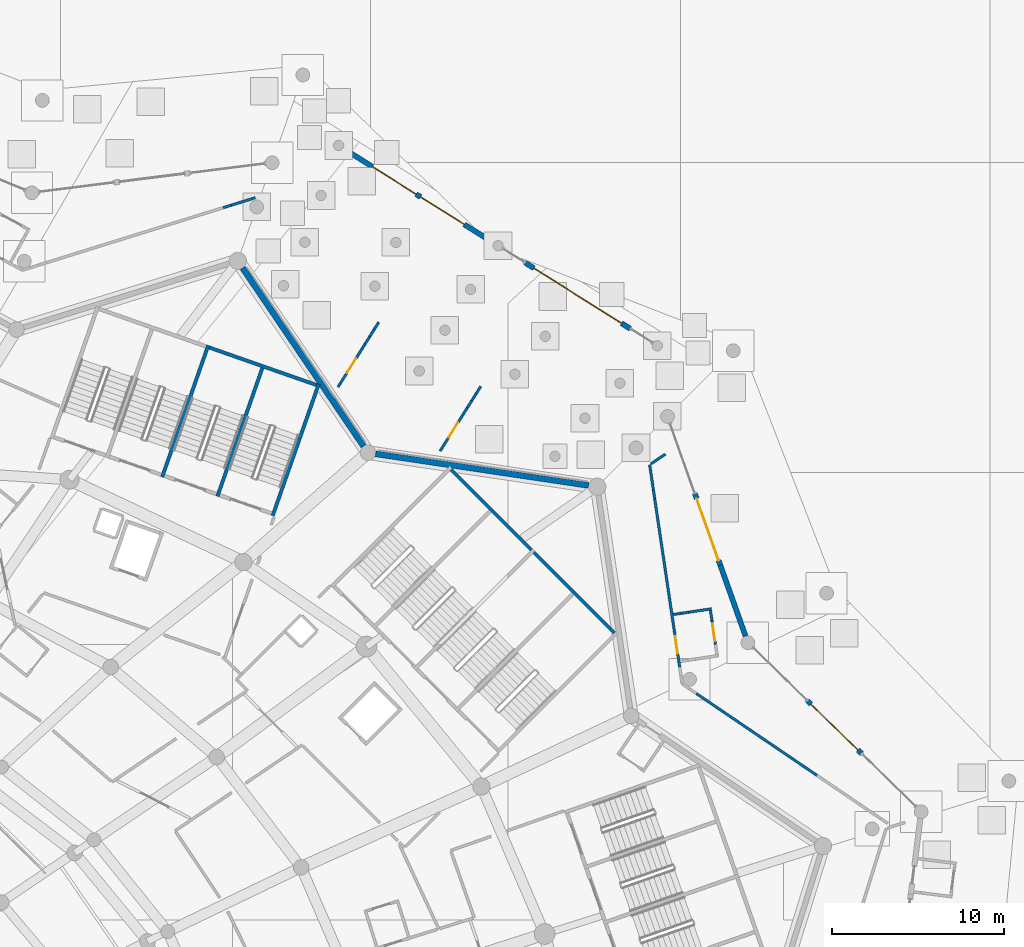
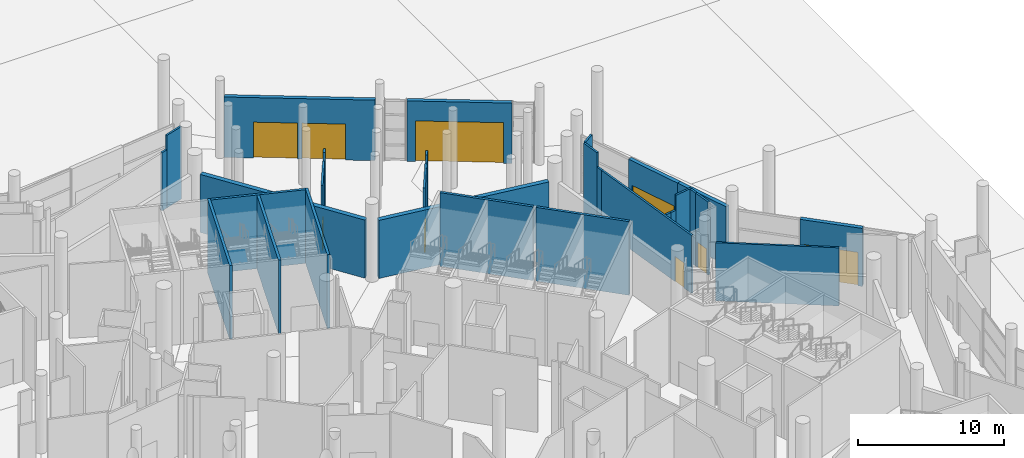
# One storey, part 156 of 255: 33 walls, 9 doors, 9 openings.
"""IFC4 building model written with IfcOpenShell, lengths in metres."""

from ifc_helpers import new_model, si_unit, direction, frame, frame_2d, origin, place, context, subcontext, project, spatial, rectangle, extrude, material, layer, layer_set, type_object, element, fill, save


model = new_model("IFC4")

# Units and contexts
model_context = context("Model", 3, precision=1e-05, world=origin(), true_north=direction((0.0, 1.0)))
body_context = subcontext(model_context, "Body", "Model", "MODEL_VIEW")
ifc_project = project(units=[si_unit("LENGTHUNIT", "METRE"), si_unit("AREAUNIT", "SQUARE_METRE"), si_unit("VOLUMEUNIT", "CUBIC_METRE"), si_unit("PLANEANGLEUNIT", "RADIAN"), si_unit("MASSUNIT", "GRAM", prefix="KILO")], contexts=[model_context])

# Site, building, storey
site_placement = place(None, origin())
site = spatial("IfcSite", under=ifc_project, at=site_placement, CompositionType="ELEMENT")
building_placement = place(site_placement, origin())
building = spatial("IfcBuilding", under=site, at=building_placement, Name="Meseta Stadium", CompositionType="ELEMENT")
storey_placement = place(building_placement, origin())
storey = spatial("IfcBuildingStorey", under=building, at=storey_placement, Name="L00", CompositionType="ELEMENT", Elevation=0.0)

# Walls
ifc_material_1 = material(Name="Concrete C40/50", Category="concrete")
ifc_layer_1 = layer(ifc_material_1, 0.199951171875)
ifc_layer_set_1 = layer_set([ifc_layer_1], Name="Core divider wall 200")
wall_type_1 = type_object("IfcWallType", Name="Core divider wall 200", PredefinedType="SHEAR", material=ifc_layer_set_1)
wall_1_placement = place(storey_placement, frame((65.789306640625, 96.260009765625, 0.0), z_axis=(0.0, 0.0, 1.0), x_axis=(-0.330280610426, -0.943882788474, 0.0)))
element("IfcWall", 1, at=wall_1_placement, inside=storey, type_object=wall_type_1, Name="Core 08 L00 stair A divider wall", PredefinedType="SHEAR", context=body_context, shape_type="SweptSolid", body=[
    extrude(rectangle(XDim=8.10009765625, YDim=0.199951171875, at=frame_2d((4.050048828125, 0.0))), origin(), (0.0, 0.0, 1.0), 6.14990234375),
])
ifc_material_2 = material(Name="Concrete C40/50", Category="concrete")
ifc_layer_2 = layer(ifc_material_2, 0.199951171875)
ifc_layer_set_2 = layer_set([ifc_layer_2], Name="Core shaft wall 200")
wall_type_2 = type_object("IfcWallType", Name="Core shaft wall 200", PredefinedType="SHEAR", material=ifc_layer_set_2)
for number, where, z_axis, x_axis, name in (
    (2, (86.163818359375, 80.6884765625, 0.0), (0.0, 0.0, 1.0), (-0.707125276584, 0.707088285305, 0.0), "Core 07 L00 stair A outer end wall"),
    (3, (81.355224609375, 85.496826171875, 0.0), (0.0, 0.0, 1.0), (-0.707088285305, 0.707125276584, 0.0), "Core 07 L00 stair B outer end wall"),
):
    element("IfcWall", number, at=place(storey_placement, frame(where, z_axis=z_axis, x_axis=x_axis)), inside=storey, type_object=wall_type_2, Name=name, PredefinedType="SHEAR", context=body_context, shape_type="SweptSolid", body=[
        extrude(rectangle(XDim=6.599853515625, YDim=0.199951171875, at=frame_2d((3.2998046875, 0.0))), origin(), (0.0, 0.0, 1.0), 6.14990234375),
    ])
for number, where, z_axis, x_axis, name in (
    (4, (68.998291015625, 95.136962890625, 0.0), (0.0, 0.0, 1.0), (-0.330263153216, -0.943888896866, 0.0), "Core 08 L00 stair wall A-side"),
    (5, (62.580078125, 97.3828125, 0.0), (0.0, 0.0, 1.0), (-0.330290006891, -0.943879500438, 0.0), "Core 08 L00 stair wall shared"),
):
    element("IfcWall", number, at=place(storey_placement, frame(where, z_axis=z_axis, x_axis=x_axis)), inside=storey, type_object=wall_type_2, Name=name, PredefinedType="SHEAR", context=body_context, shape_type="SweptSolid", body=[
        extrude(rectangle(XDim=8.099853515625, YDim=0.199951171875, at=frame_2d((4.0498046875, 0.0))), origin(), (0.0, 0.0, 1.0), 6.14990234375),
    ])
wall_2_placement = place(storey_placement, frame((68.87109375, 95.07568359375, 0.0), z_axis=(0.0, 0.0, 1.0), x_axis=(-0.943880844925, 0.330286164688, 0.0)))
element("IfcWall", 6, at=wall_2_placement, inside=storey, type_object=wall_type_2, Name="Core 08 L00 stair A outer end wall", PredefinedType="SHEAR", context=body_context, shape_type="SweptSolid", body=[
    extrude(rectangle(XDim=6.60009765625, YDim=0.199951171875, at=frame_2d((3.300048828125, 0.0))), origin(), (0.0, 0.0, 1.0), 6.14990234375),
])

# Wall, opening, door
ifc_material_3 = material(Name="Precast concrete C40/50", Category="concrete")
ifc_layer_3 = layer(ifc_material_3, 0.300048828125)
ifc_layer_set_3 = layer_set([ifc_layer_3], Name="Gate facade panel wall 300")
wall_type_3 = type_object("IfcWallType", Name="Gate facade panel wall 300", PredefinedType="SOLIDWALL", material=ifc_layer_set_3)
wall_3_placement = place(storey_placement, frame((80.9921875, 102.18115234375, 0.0), z_axis=(0.0, 0.0, 1.0), x_axis=(0.846713800268, -0.532048626006, 0.0)))
wall_3 = element("IfcWall", 7, at=wall_3_placement, inside=storey, type_object=wall_type_3, Name="Gate 2 entrance wall", PredefinedType="SOLIDWALL", context=body_context, shape_type="SweptSolid", body=[
    extrude(rectangle(XDim=7.2001953125, YDim=0.300048828125, at=frame_2d((3.60009765625, 0.0))), origin(), (0.0, 0.0, 1.0), 5.050048828125),
])
opening_1_placement = place(wall_3_placement, frame((0.60009765625, 0.0, 0.0)))
opening_1 = element("IfcOpeningElement", 8, at=opening_1_placement, cuts=wall_3, Name="Opening D007", PredefinedType="OPENING", context=body_context, shape_type="SweptSolid", body=[
    extrude(rectangle(XDim=6.0, YDim=3.39990234375, at=frame_2d((3.0, 1.699951171875))), frame((0.0, 0.159912109375, 0.0), z_axis=(0.0, -1.0, 0.0), x_axis=(1.0, 0.0, 0.0)), (0.0, 0.0, 1.0), 0.320068359375),
])
ifc_material_4 = material(Name="Steel", Category="steel")
door_type_1 = type_object("IfcDoorType", Name="Main entrance door 6000x3400", OperationType="DOUBLE_DOOR_SINGLE_SWING", PredefinedType="DOOR", material=ifc_material_4)
door_1_placement = place(opening_1_placement, origin())
door_1 = element("IfcDoor", 9, at=door_1_placement, inside=storey, type_object=door_type_1, Name="Main entrance E2", OperationType="DOUBLE_DOOR_SINGLE_SWING", OverallHeight=3.39990234375, OverallWidth=6.0, PredefinedType="DOOR", context=body_context, shape_type="SweptSolid", body=[
    extrude(rectangle(XDim=6.0, YDim=3.39990234375, at=frame_2d((3.0, 1.699951171875))), frame((0.0, 0.02490234375, 0.0), z_axis=(0.0, -1.0, 0.0), x_axis=(1.0, 0.0, 0.0)), (0.0, 0.0, 1.0), 0.050048828125),
])
fill(opening_1, door_1)

# Wall, openings, doors
wall_4_placement = place(storey_placement, frame((70.40771484375, 108.831787109375, 0.0), z_axis=(0.0, 0.0, 1.0), x_axis=(0.846732336333, -0.532019126168, 0.0)))
wall_4 = element("IfcWall", 10, at=wall_4_placement, inside=storey, type_object=wall_type_3, Name="Gate 2 entrance wall", PredefinedType="SOLIDWALL", context=body_context, shape_type="SweptSolid", body=[
    extrude(rectangle(XDim=10.333740234375, YDim=0.300048828125, at=frame_2d((5.1669921875, 0.0))), origin(), (0.0, 0.0, 1.0), 5.050048828125),
])
opening_2_placement = place(wall_4_placement, frame((5.31689453125, 0.0, 0.0)))
opening_2 = element("IfcOpeningElement", 11, at=opening_2_placement, cuts=wall_4, Name="Opening D008", PredefinedType="OPENING", context=body_context, shape_type="SweptSolid", body=[
    extrude(rectangle(XDim=3.0, YDim=3.0, at=frame_2d((1.5, 1.5))), frame((0.0, 0.159912109375, 0.0), z_axis=(0.0, -1.0, 0.0), x_axis=(1.0, 0.0, 0.0)), (0.0, 0.0, 1.0), 0.320068359375),
])
opening_3_placement = place(wall_4_placement, frame((2.016845703125, 0.0, 0.0)))
opening_3 = element("IfcOpeningElement", 12, at=opening_3_placement, cuts=wall_4, Name="Opening D009", PredefinedType="OPENING", context=body_context, shape_type="SweptSolid", body=[
    extrude(rectangle(XDim=3.0, YDim=3.0, at=frame_2d((1.5, 1.5))), frame((0.0, 0.159912109375, 0.0), z_axis=(0.0, -1.0, 0.0), x_axis=(1.0, 0.0, 0.0)), (0.0, 0.0, 1.0), 0.320068359375),
])
ifc_material_5 = material(Name="Steel", Category="steel")
door_type_2 = type_object("IfcDoorType", Name="Pedestrian exit door 3000x3000", OperationType="DOUBLE_DOOR_SINGLE_SWING", PredefinedType="DOOR", material=ifc_material_5)
door_2_placement = place(opening_2_placement, origin())
door_2 = element("IfcDoor", 13, at=door_2_placement, inside=storey, type_object=door_type_2, Name="Pedestrian exit gate G2", OperationType="DOUBLE_DOOR_SINGLE_SWING", OverallHeight=3.0, OverallWidth=3.0, PredefinedType="DOOR", context=body_context, shape_type="SweptSolid", body=[
    extrude(rectangle(XDim=3.0, YDim=3.0, at=frame_2d((1.5, 1.5))), frame((0.0, 0.02490234375, 0.0), z_axis=(0.0, -1.0, 0.0), x_axis=(1.0, 0.0, 0.0)), (0.0, 0.0, 1.0), 0.050048828125),
])
fill(opening_2, door_2)
door_3_placement = place(opening_3_placement, origin())
door_3 = element("IfcDoor", 14, at=door_3_placement, inside=storey, type_object=door_type_2, Name="Pedestrian exit gate G2", OperationType="DOUBLE_DOOR_SINGLE_SWING", OverallHeight=3.0, OverallWidth=3.0, PredefinedType="DOOR", context=body_context, shape_type="SweptSolid", body=[
    extrude(rectangle(XDim=3.0, YDim=3.0, at=frame_2d((1.5, 1.5))), frame((0.0, 0.02490234375, 0.0), z_axis=(0.0, -1.0, 0.0), x_axis=(1.0, 0.0, 0.0)), (0.0, 0.0, 1.0), 0.050048828125),
])
fill(opening_3, door_3)

# Wall, opening, door
ifc_material_6 = material(Name="Masonry blockwork", Category="masonry")
ifc_layer_4 = layer(ifc_material_6, 0.14990234375)
ifc_layer_set_4 = layer_set([ifc_layer_4], Name="Partition 150")
wall_type_4 = type_object("IfcWallType", Name="Partition 150", PredefinedType="PARTITIONING", material=ifc_layer_set_4)
wall_5_placement = place(storey_placement, frame((76.0458984375, 91.239013671875, 0.0), z_axis=(0.0, 0.0, 1.0), x_axis=(0.531974180768, 0.846760574776, 0.0)))
wall_5 = element("IfcWall", 15, at=wall_5_placement, inside=storey, type_object=wall_type_4, Name="Partition L00 G2-L00-0-SecurityScreening-0", PredefinedType="PARTITIONING", context=body_context, shape_type="SweptSolid", body=[
    extrude(rectangle(XDim=2.96435546875, YDim=0.14990234375, at=frame_2d((1.482177734375, 0.0))), origin(), (0.0, 0.0, 1.0), 6.050048828125),
])
opening_4_placement = place(wall_5_placement, frame((0.949951171875, 0.0, 0.0)))
opening_4 = element("IfcOpeningElement", 16, at=opening_4_placement, cuts=wall_5, Name="Opening D516", PredefinedType="OPENING", context=body_context, shape_type="SweptSolid", body=[
    extrude(rectangle(XDim=1.0, YDim=2.10009765625, at=frame_2d((0.5, 1.050048828125))), frame((0.0, 0.0849609375, 0.0), z_axis=(0.0, -1.0, 0.0), x_axis=(1.0, 0.0, 0.0)), (0.0, 0.0, 1.0), 0.169921875),
])
ifc_material_7 = material(Name="Steel", Category="steel")
door_type_3 = type_object("IfcDoorType", Name="Fire door 1000x2100 EI2 60", OperationType="NOTDEFINED", PredefinedType="DOOR", material=ifc_material_7)
door_4_placement = place(opening_4_placement, origin())
door_4 = element("IfcDoor", 17, at=door_4_placement, inside=storey, type_object=door_type_3, Name="Door D516", OperationType="SINGLE_SWING_RIGHT", OverallHeight=2.10009765625, OverallWidth=1.0, PredefinedType="DOOR", context=body_context, shape_type="SweptSolid", body=[
    extrude(rectangle(XDim=1.0, YDim=2.10009765625, at=frame_2d((0.5, 1.050048828125))), frame((0.0, 0.02490234375, 0.0), z_axis=(0.0, -1.0, 0.0), x_axis=(1.0, 0.0, 0.0)), (0.0, 0.0, 1.0), 0.050048828125),
])
fill(opening_4, door_4)

# Walls
wall_6_placement = place(storey_placement, frame((77.622802734375, 93.7490234375, 0.0), z_axis=(0.0, 0.0, 1.0), x_axis=(0.532040016941, 0.846719209876, 0.0)))
element("IfcWall", 18, at=wall_6_placement, inside=storey, type_object=wall_type_4, Name="Partition L00 G2-L00-0-SecurityScreening-0", PredefinedType="PARTITIONING", context=body_context, shape_type="SweptSolid", body=[
    extrude(rectangle(XDim=0.494140625, YDim=0.14990234375, at=frame_2d((0.2470703125, 0.0))), origin(), (0.0, 0.0, 1.0), 5.25),
])
wall_7_placement = place(storey_placement, frame((77.8857421875, 94.16748046875, 0.0), z_axis=(0.0, 0.0, 1.0), x_axis=(0.53226263383, 0.846579286676, 0.0)))
element("IfcWall", 19, at=wall_7_placement, inside=storey, type_object=wall_type_4, Name="Partition L00 G2-L00-0-SecurityScreening-0", PredefinedType="PARTITIONING", context=body_context, shape_type="SweptSolid", body=[
    extrude(rectangle(XDim=0.493896484375, YDim=0.14990234375, at=frame_2d((0.2470703125, 0.0))), origin(), (0.0, 0.0, 1.0), 5.25),
])
wall_8_placement = place(storey_placement, frame((78.148681640625, 94.585693359375, 0.0), z_axis=(0.0, 0.0, 1.0), x_axis=(0.532040016941, 0.846719209876, 0.0)))
element("IfcWall", 20, at=wall_8_placement, inside=storey, type_object=wall_type_4, Name="Partition L00 G2-L00-0-SecurityScreening-0", PredefinedType="PARTITIONING", context=body_context, shape_type="SweptSolid", body=[
    extrude(rectangle(XDim=0.494140625, YDim=0.14990234375, at=frame_2d((0.2470703125, 0.0))), origin(), (0.0, 0.0, 1.0), 6.050048828125),
])

# Wall, opening, door
wall_9_placement = place(storey_placement, frame((71.69580078125, 97.473388671875, 0.0), z_axis=(0.0, 0.0, 1.0), x_axis=(-0.5319961315, -0.846746783914, 0.0)))
wall_9 = element("IfcWall", 21, at=wall_9_placement, inside=storey, type_object=wall_type_4, Name="Partition L00 G2-L00-1-TicketHall-0", PredefinedType="PARTITIONING", context=body_context, shape_type="SweptSolid", body=[
    extrude(rectangle(XDim=2.964599609375, YDim=0.14990234375, at=frame_2d((1.482421875, 0.0))), origin(), (0.0, 0.0, 1.0), 6.050048828125),
])
opening_5_placement = place(wall_9_placement, frame((1.014404296875, 0.0, 0.0)))
opening_5 = element("IfcOpeningElement", 22, at=opening_5_placement, cuts=wall_9, Name="Opening D517", PredefinedType="OPENING", context=body_context, shape_type="SweptSolid", body=[
    extrude(rectangle(XDim=1.0, YDim=2.10009765625, at=frame_2d((0.5, 1.050048828125))), frame((0.0, 0.0849609375, 0.0), z_axis=(0.0, -1.0, 0.0), x_axis=(1.0, 0.0, 0.0)), (0.0, 0.0, 1.0), 0.169921875),
])
door_5_placement = place(opening_5_placement, origin())
door_5 = element("IfcDoor", 23, at=door_5_placement, inside=storey, type_object=door_type_3, Name="Door D517", OperationType="SINGLE_SWING_RIGHT", OverallHeight=2.10009765625, OverallWidth=1.0, PredefinedType="DOOR", context=body_context, shape_type="SweptSolid", body=[
    extrude(rectangle(XDim=1.0, YDim=2.10009765625, at=frame_2d((0.5, 1.050048828125))), frame((0.0, 0.02490234375, 0.0), z_axis=(0.0, -1.0, 0.0), x_axis=(1.0, 0.0, 0.0)), (0.0, 0.0, 1.0), 0.050048828125),
])
fill(opening_5, door_5)

# Walls
wall_10_placement = place(storey_placement, frame((71.69580078125, 97.473388671875, 0.0), z_axis=(0.0, 0.0, 1.0), x_axis=(0.53226263383, 0.846579286676, 0.0)))
element("IfcWall", 24, at=wall_10_placement, inside=storey, type_object=wall_type_4, Name="Partition L00 G2-L00-1-TicketHall-0", PredefinedType="PARTITIONING", context=body_context, shape_type="SweptSolid", body=[
    extrude(rectangle(XDim=0.493896484375, YDim=0.14990234375, at=frame_2d((0.2470703125, 0.0))), origin(), (0.0, 0.0, 1.0), 5.25),
])
wall_11_placement = place(storey_placement, frame((71.958740234375, 97.8916015625, 0.0), z_axis=(0.0, 0.0, 1.0), x_axis=(0.532040016941, 0.846719209876, 0.0)))
element("IfcWall", 25, at=wall_11_placement, inside=storey, type_object=wall_type_4, Name="Partition L00 G2-L00-1-TicketHall-0", PredefinedType="PARTITIONING", context=body_context, shape_type="SweptSolid", body=[
    extrude(rectangle(XDim=0.494140625, YDim=0.14990234375, at=frame_2d((0.2470703125, 0.0))), origin(), (0.0, 0.0, 1.0), 5.25),
])
wall_12_placement = place(storey_placement, frame((72.2216796875, 98.31005859375, 0.0), z_axis=(0.0, 0.0, 1.0), x_axis=(0.531908296505, 0.846801962745, 0.0)))
element("IfcWall", 26, at=wall_12_placement, inside=storey, type_object=wall_type_4, Name="Partition L00 G2-L00-1-TicketHall-0", PredefinedType="PARTITIONING", context=body_context, shape_type="SweptSolid", body=[
    extrude(rectangle(XDim=0.493896484375, YDim=0.14990234375, at=frame_2d((0.2470703125, 0.0))), origin(), (0.0, 0.0, 1.0), 6.050048828125),
])
wall_13_placement = place(storey_placement, frame((97.93359375, 72.4072265625, 0.0), z_axis=(0.0, 0.0, 1.0), x_axis=(-0.827484873178, 0.561488009366, 0.0)))
element("IfcWall", 27, at=wall_13_placement, inside=storey, type_object=wall_type_4, Name="Partition L00 L00-ring05-0", PredefinedType="PARTITIONING", context=body_context, shape_type="SweptSolid", body=[
    extrude(rectangle(XDim=8.459716796875, YDim=0.14990234375, at=frame_2d((4.22998046875, 0.0))), origin(), (0.0, 0.0, 1.0), 4.85009765625),
])

# Wall, opening, door
wall_14_placement = place(storey_placement, frame((89.96435546875, 78.695556640625, 0.0), z_axis=(0.0, 0.0, 1.0), x_axis=(-0.146856053472, 0.98915787393, 0.0)))
wall_14 = element("IfcWall", 28, at=wall_14_placement, inside=storey, type_object=wall_type_4, Name="Partition L00 L00-ring05-0", PredefinedType="PARTITIONING", context=body_context, shape_type="SweptSolid", body=[
    extrude(rectangle(XDim=9.901611328125, YDim=0.14990234375, at=frame_2d((4.95068359375, 0.0))), origin(), (0.0, 0.0, 1.0), 4.85009765625),
])
opening_6_placement = place(wall_14_placement, frame((0.800048828125, 0.0, 0.0)))
opening_6 = element("IfcOpeningElement", 29, at=opening_6_placement, cuts=wall_14, Name="Opening D622", PredefinedType="OPENING", context=body_context, shape_type="SweptSolid", body=[
    extrude(rectangle(XDim=1.0, YDim=2.10009765625, at=frame_2d((0.5, 1.050048828125))), frame((0.0, 0.0849609375, 0.0), z_axis=(0.0, -1.0, 0.0), x_axis=(1.0, 0.0, 0.0)), (0.0, 0.0, 1.0), 0.169921875),
])
door_6_placement = place(opening_6_placement, origin())
door_6 = element("IfcDoor", 30, at=door_6_placement, inside=storey, type_object=door_type_3, Name="Door D622", OperationType="SINGLE_SWING_LEFT", OverallHeight=2.10009765625, OverallWidth=1.0, PredefinedType="DOOR", context=body_context, shape_type="SweptSolid", body=[
    extrude(rectangle(XDim=1.0, YDim=2.10009765625, at=frame_2d((0.5, 1.050048828125))), frame((0.0, 0.02490234375, 0.0), z_axis=(0.0, -1.0, 0.0), x_axis=(1.0, 0.0, 0.0)), (0.0, 0.0, 1.0), 0.050048828125),
])
fill(opening_6, door_6)

# Walls
wall_15_placement = place(storey_placement, frame((88.51025390625, 88.48974609375, 0.0), z_axis=(0.0, 0.0, 1.0), x_axis=(-0.146941800407, 0.98914513965, 0.0)))
element("IfcWall", 31, at=wall_15_placement, inside=storey, type_object=wall_type_4, Name="Partition L00 L00-ring05-0", PredefinedType="PARTITIONING", context=body_context, shape_type="SweptSolid", body=[
    extrude(rectangle(XDim=0.4951171875, YDim=0.14990234375, at=frame_2d((0.24755859375, 0.0))), origin(), (0.0, 0.0, 1.0), 4.85009765625),
])
wall_16_placement = place(storey_placement, frame((88.4375, 88.9794921875, 0.0), z_axis=(0.0, 0.0, 1.0), x_axis=(-0.146804847774, 0.989165474868, 0.0)))
element("IfcWall", 32, at=wall_16_placement, inside=storey, type_object=wall_type_4, Name="Partition L00 L00-ring05-0", PredefinedType="PARTITIONING", context=body_context, shape_type="SweptSolid", body=[
    extrude(rectangle(XDim=1.485107421875, YDim=0.14990234375, at=frame_2d((0.74267578125, 0.0))), origin(), (0.0, 0.0, 1.0), 6.050048828125),
])
wall_17_placement = place(storey_placement, frame((88.288330078125, 90.4951171875, 0.0), z_axis=(0.0, 0.0, 1.0), x_axis=(0.828748465166, 0.559621283981, 0.0)))
element("IfcWall", 33, at=wall_17_placement, inside=storey, type_object=wall_type_4, Name="Partition L00 L00-ring05-0", PredefinedType="PARTITIONING", context=body_context, shape_type="SweptSolid", body=[
    extrude(rectangle(XDim=1.016845703125, YDim=0.14990234375, at=frame_2d((0.50830078125, 0.0))), origin(), (0.0, 0.0, 1.0), 6.050048828125),
])
wall_18_placement = place(storey_placement, frame((65.31591796875, 105.958984375, 0.0), z_axis=(0.0, 0.0, 1.0), x_axis=(-0.954867270895, -0.297032818008, 0.0)))
element("IfcWall", 34, at=wall_18_placement, inside=storey, type_object=wall_type_4, Name="Partition L00 L00-ring07-0", PredefinedType="PARTITIONING", context=body_context, shape_type="SweptSolid", body=[
    extrude(rectangle(XDim=1.46630859375, YDim=0.14990234375, at=frame_2d((0.733154296875, 0.0))), origin(), (0.0, 0.0, 1.0), 6.050048828125),
])
wall_19_placement = place(storey_placement, frame((63.915771484375, 105.5234375, 0.0), z_axis=(0.0, 0.0, 1.0), x_axis=(-0.954976336525, -0.296681979025, 0.0)))
element("IfcWall", 35, at=wall_19_placement, inside=storey, type_object=wall_type_4, Name="Partition L00 L00-ring07-0", PredefinedType="PARTITIONING", context=body_context, shape_type="SweptSolid", body=[
    extrude(rectangle(XDim=0.48876953125, YDim=0.14990234375, at=frame_2d((0.244384765625, 0.0))), origin(), (0.0, 0.0, 1.0), 4.85009765625),
])
wall_20_placement = place(storey_placement, frame((89.5869140625, 81.748291015625, 0.0), z_axis=(0.0, 0.0, 1.0), x_axis=(0.989209288441, 0.14650932961, 0.0)))
element("IfcWall", 36, at=wall_20_placement, inside=storey, type_object=wall_type_4, Name="Partition L00 L00-ring05-0 vestibule", PredefinedType="PARTITIONING", context=body_context, shape_type="SweptSolid", body=[
    extrude(rectangle(XDim=0.449951171875, YDim=0.14990234375, at=frame_2d((0.22509765625, 0.0))), origin(), (0.0, 0.0, 1.0), 4.85009765625),
])
wall_21_placement = place(storey_placement, frame((90.031982421875, 81.814208984375, 0.0), z_axis=(0.0, 0.0, 1.0), x_axis=(0.98914223182, 0.146961373258, 0.0)))
element("IfcWall", 37, at=wall_21_placement, inside=storey, type_object=wall_type_4, Name="Partition L00 L00-ring05-0 vestibule", PredefinedType="PARTITIONING", context=body_context, shape_type="SweptSolid", body=[
    extrude(rectangle(XDim=0.4501953125, YDim=0.14990234375, at=frame_2d((0.22509765625, 0.0))), origin(), (0.0, 0.0, 1.0), 4.85009765625),
])
wall_22_placement = place(storey_placement, frame((90.477294921875, 81.88037109375, 0.0), z_axis=(0.0, 0.0, 1.0), x_axis=(0.98915679984, 0.14686328789, 0.0)))
element("IfcWall", 38, at=wall_22_placement, inside=storey, type_object=wall_type_4, Name="Partition L00 L00-ring05-0 vestibule", PredefinedType="PARTITIONING", context=body_context, shape_type="SweptSolid", body=[
    extrude(rectangle(XDim=1.349853515625, YDim=0.14990234375, at=frame_2d((0.6748046875, 0.0))), origin(), (0.0, 0.0, 1.0), 6.10009765625),
])

# Wall, opening, door
wall_23_placement = place(storey_placement, frame((92.043212890625, 80.01513671875, 0.0), z_axis=(0.0, 0.0, 1.0), x_axis=(-0.146839388744, 0.989160347928, 0.0)))
wall_23 = element("IfcWall", 39, at=wall_23_placement, inside=storey, type_object=wall_type_4, Name="Partition L00 L00-ring05-0 vestibule", PredefinedType="PARTITIONING", context=body_context, shape_type="SweptSolid", body=[
    extrude(rectangle(XDim=1.39990234375, YDim=0.14990234375, at=frame_2d((0.699951171875, 0.0))), origin(), (0.0, 0.0, 1.0), 6.10009765625),
])
opening_7_placement = place(wall_23_placement, frame((0.199951171875, 0.0, 0.0)))
opening_7 = element("IfcOpeningElement", 40, at=opening_7_placement, cuts=wall_23, Name="Opening D872", PredefinedType="OPENING", context=body_context, shape_type="SweptSolid", body=[
    extrude(rectangle(XDim=1.0, YDim=2.10009765625, at=frame_2d((0.5, 1.050048828125))), frame((0.0, 0.0849609375, 0.0), z_axis=(0.0, -1.0, 0.0), x_axis=(1.0, 0.0, 0.0)), (0.0, 0.0, 1.0), 0.169921875),
])
door_7_placement = place(opening_7_placement, origin())
door_7 = element("IfcDoor", 41, at=door_7_placement, inside=storey, type_object=door_type_3, Name="Vestibule door L00 L00-ring05-0", OperationType="SINGLE_SWING_LEFT", OverallHeight=2.10009765625, OverallWidth=1.0, PredefinedType="DOOR", context=body_context, shape_type="SweptSolid", body=[
    extrude(rectangle(XDim=1.0, YDim=2.10009765625, at=frame_2d((0.5, 1.050048828125))), frame((0.0, 0.02490234375, 0.0), z_axis=(0.0, -1.0, 0.0), x_axis=(1.0, 0.0, 0.0)), (0.0, 0.0, 1.0), 0.050048828125),
])
fill(opening_7, door_7)

# Walls
wall_24_placement = place(storey_placement, frame((91.837646484375, 81.39990234375, 0.0), z_axis=(0.0, 0.0, 1.0), x_axis=(-0.146887819725, 0.989153157209, 0.0)))
element("IfcWall", 42, at=wall_24_placement, inside=storey, type_object=wall_type_4, Name="Partition L00 L00-ring05-0 vestibule", PredefinedType="PARTITIONING", context=body_context, shape_type="SweptSolid", body=[
    extrude(rectangle(XDim=0.60009765625, YDim=0.14990234375, at=frame_2d((0.300048828125, 0.0))), origin(), (0.0, 0.0, 1.0), 6.10009765625),
])
ifc_material_8 = material(Name="White precast concrete C40/50", Category="concrete")
ifc_layer_5 = layer(ifc_material_8, 0.35009765625)
ifc_layer_set_5 = layer_set([ifc_layer_5], Name="Pleated panel wall 350 gate")
wall_type_5 = type_object("IfcWallType", Name="Pleated panel wall 350 gate", PredefinedType="SOLIDWALL", material=ifc_layer_set_5)
wall_25_placement = place(storey_placement, frame((72.30126953125, 91.084716796875, 0.0), z_axis=(0.0, 0.0, 1.0), x_axis=(0.989159318747, -0.14684632149, 0.0)))
element("IfcWall", 43, at=wall_25_placement, inside=storey, type_object=wall_type_5, Name="Pleated facade panel L00 F12", PredefinedType="SOLIDWALL", context=body_context, shape_type="SweptSolid", body=[
    extrude(rectangle(XDim=12.51416015625, YDim=0.35009765625, at=frame_2d((6.257080078125, 0.0))), origin(), (0.0, 0.0, 1.0), 4.85009765625),
])
wall_26_placement = place(storey_placement, frame((64.578125, 101.87744140625, 0.0), z_axis=(0.0, 0.0, 1.0), x_axis=(0.561493784496, -0.827480954447, 0.0)))
element("IfcWall", 44, at=wall_26_placement, inside=storey, type_object=wall_type_5, Name="Pleated facade panel L00 F13", PredefinedType="SOLIDWALL", context=body_context, shape_type="SweptSolid", body=[
    extrude(rectangle(XDim=12.51318359375, YDim=0.35009765625, at=frame_2d((6.256591796875, 0.0))), origin(), (0.0, 0.0, 1.0), 4.85009765625),
])

# Wall, opening, door
ifc_material_9 = material(Name="Precast concrete C40/50", Category="concrete")
ifc_layer_6 = layer(ifc_material_9, 0.300048828125)
ifc_layer_set_6 = layer_set([ifc_layer_6], Name="Ring facade panel wall 300")
wall_type_6 = type_object("IfcWallType", Name="Ring facade panel wall 300", PredefinedType="SOLIDWALL", material=ifc_layer_set_6)
wall_27_placement = place(storey_placement, frame((97.3828125, 76.73876953125, 0.0), z_axis=(0.0, 0.0, 1.0), x_axis=(0.715709564576, -0.69839803778, 0.0)))
wall_27 = element("IfcWall", 45, at=wall_27_placement, inside=storey, type_object=wall_type_6, Name="Ring facade panel wall F10", PredefinedType="SOLIDWALL", context=body_context, shape_type="SweptSolid", body=[
    extrude(rectangle(XDim=4.400146484375, YDim=0.300048828125, at=frame_2d((2.2001953125, 0.0))), origin(), (0.0, 0.0, 1.0), 4.85009765625),
])
opening_8_placement = place(wall_27_placement, frame((0.300048828125, 0.0, 0.0)))
opening_8 = element("IfcOpeningElement", 46, at=opening_8_placement, cuts=wall_27, Name="Opening D940", PredefinedType="OPENING", context=body_context, shape_type="SweptSolid", body=[
    extrude(rectangle(XDim=3.800048828125, YDim=2.800048828125, at=frame_2d((1.89990234375, 1.39990234375))), frame((0.0, 0.159912109375, 0.0), z_axis=(0.0, -1.0, 0.0), x_axis=(1.0, 0.0, 0.0)), (0.0, 0.0, 1.0), 0.320068359375),
])
ifc_material_10 = material(Name="Steel", Category="steel")
door_type_4 = type_object("IfcDoorType", Name="Final exit door 3800x2800", OperationType="DOUBLE_DOOR_SINGLE_SWING", PredefinedType="DOOR", material=ifc_material_10)
door_8_placement = place(opening_8_placement, origin())
door_8 = element("IfcDoor", 47, at=door_8_placement, inside=storey, type_object=door_type_4, Name="Final exit F5", OperationType="DOUBLE_DOOR_SINGLE_SWING", OverallHeight=2.800048828125, OverallWidth=3.800048828125, PredefinedType="DOOR", context=body_context, shape_type="SweptSolid", body=[
    extrude(rectangle(XDim=3.800048828125, YDim=2.800048828125, at=frame_2d((1.89990234375, 1.39990234375))), frame((0.0, 0.02490234375, 0.0), z_axis=(0.0, -1.0, 0.0), x_axis=(1.0, 0.0, 0.0)), (0.0, 0.0, 1.0), 0.050048828125),
])
fill(opening_8, door_8)

wall_28_placement = place(storey_placement, frame((90.85302734375, 88.7568359375, 0.0), z_axis=(0.0, 0.0, 1.0), x_axis=(0.334859697206, -0.942267999662, 0.0)))
wall_28 = element("IfcWall", 48, at=wall_28_placement, inside=storey, type_object=wall_type_6, Name="Ring facade panel wall F11", PredefinedType="SOLIDWALL", context=body_context, shape_type="SweptSolid", body=[
    extrude(rectangle(XDim=4.39990234375, YDim=0.300048828125, at=frame_2d((2.199951171875, 0.0))), origin(), (0.0, 0.0, 1.0), 4.85009765625),
])
opening_9_placement = place(wall_28_placement, frame((0.300048828125, 0.0, 0.0)))
opening_9 = element("IfcOpeningElement", 49, at=opening_9_placement, cuts=wall_28, Name="Opening D941", PredefinedType="OPENING", context=body_context, shape_type="SweptSolid", body=[
    extrude(rectangle(XDim=3.800048828125, YDim=2.800048828125, at=frame_2d((1.89990234375, 1.39990234375))), frame((0.0, 0.159912109375, 0.0), z_axis=(0.0, -1.0, 0.0), x_axis=(1.0, 0.0, 0.0)), (0.0, 0.0, 1.0), 0.320068359375),
])
door_9_placement = place(opening_9_placement, origin())
door_9 = element("IfcDoor", 50, at=door_9_placement, inside=storey, type_object=door_type_4, Name="Final exit F6", OperationType="DOUBLE_DOOR_SINGLE_SWING", OverallHeight=2.800048828125, OverallWidth=3.800048828125, PredefinedType="DOOR", context=body_context, shape_type="SweptSolid", body=[
    extrude(rectangle(XDim=3.800048828125, YDim=2.800048828125, at=frame_2d((1.89990234375, 1.39990234375))), frame((0.0, 0.02490234375, 0.0), z_axis=(0.0, -1.0, 0.0), x_axis=(1.0, 0.0, 0.0)), (0.0, 0.0, 1.0), 0.050048828125),
])
fill(opening_9, door_9)

# Wall
wall_29_placement = place(storey_placement, frame((92.326416015625, 84.61083984375, 0.0), z_axis=(0.0, 0.0, 1.0), x_axis=(0.334840057132, -0.942274979048, 0.0)))
element("IfcWall", 51, at=wall_29_placement, inside=storey, type_object=wall_type_6, Name="Ring store panel wall F11a", PredefinedType="SOLIDWALL", context=body_context, shape_type="SweptSolid", body=[
    extrude(rectangle(XDim=4.373291015625, YDim=0.300048828125, at=frame_2d((2.1865234375, 0.0))), origin(), (0.0, 0.0, 1.0), 4.85009765625),
])

save(model, "model.ifc")
